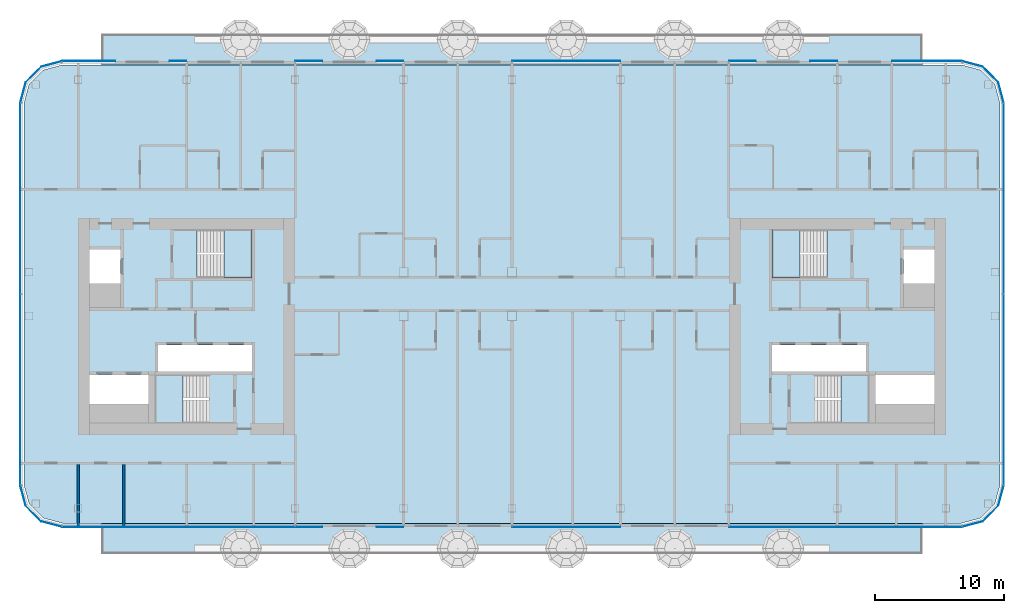
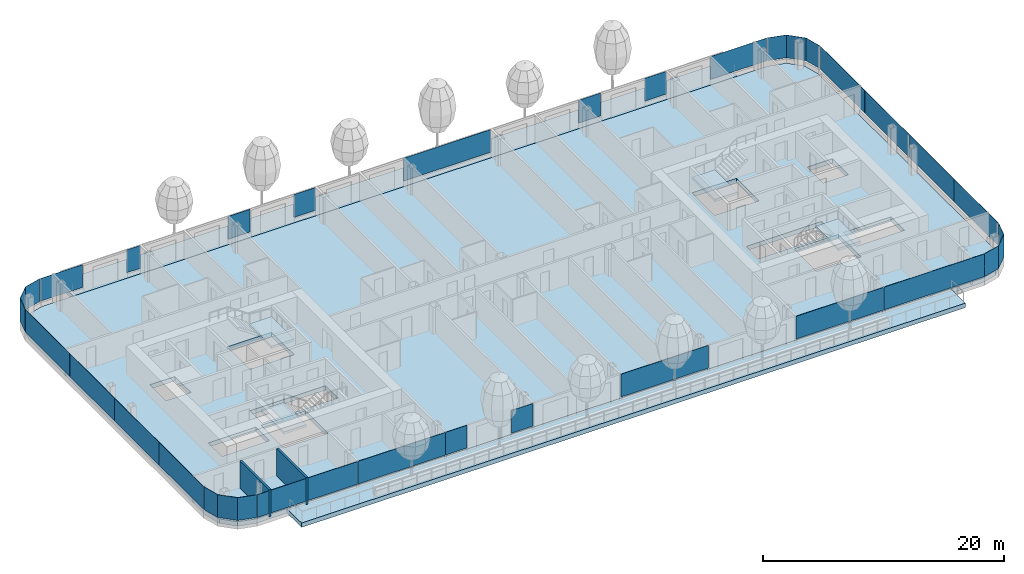
# One storey, part 9 of 28: 27 plates, 7 slabs, 2 walls, 12 elements without a shape of their own.
"""IFC4 building model written with IfcOpenShell, lengths in metres."""

from ifc_helpers import new_model, si_unit, direction, frame, frame_2d, origin, origin_2d, place, context, subcontext, project, spatial, polyline, rectangle, outline, extrude, material, layer, layer_set, type_object, element, aggregate, save


model = new_model("IFC4")

# Units and contexts
model_context = context("Model", 3, precision=1e-05, world=origin(), true_north=direction((0.0, 1.0)))
body_context = subcontext(model_context, "Body", "Model", "MODEL_VIEW")
ifc_project = project(units=[si_unit("LENGTHUNIT", "METRE"), si_unit("AREAUNIT", "SQUARE_METRE"), si_unit("VOLUMEUNIT", "CUBIC_METRE"), si_unit("PLANEANGLEUNIT", "RADIAN"), si_unit("MASSUNIT", "GRAM", prefix="KILO")], contexts=[model_context])

# Site, building, storey
site_placement = place(None, origin())
site = spatial("IfcSite", under=ifc_project, at=site_placement, CompositionType="ELEMENT")
building_placement = place(site_placement, origin())
building = spatial("IfcBuilding", under=site, at=building_placement, Name="Hakoniwa Tower and Hamabe Station Hall", CompositionType="ELEMENT")
storey_placement = place(building_placement, frame((0.0, 0.0, 193.0)))
storey = spatial("IfcBuildingStorey", under=building, at=storey_placement, Name="L54", CompositionType="ELEMENT", Elevation=193.0)

# Slabs
ifc_material_1 = material(Name="Concrete C42", Category="concrete")
ifc_layer_1 = layer(ifc_material_1, 0.25)
ifc_layer_set_1 = layer_set([ifc_layer_1], Name="BALCONY SLAB 250")
slab_type_1 = type_object("IfcSlabType", Name="BALCONY SLAB 250", PredefinedType="FLOOR", material=ifc_layer_set_1)
slab_1_placement = place(storey_placement, frame((0.0, 0.0, -0.449951171875)))
element("IfcSlab", 1, at=slab_1_placement, inside=storey, type_object=slab_type_1, Name="Balcony slab L54 BAL-L54-N", PredefinedType="FLOOR", context=body_context, shape_type="SweptSolid", body=[
    extrude(outline(polyline([(-31.800048828125, 20.25), (31.800048828125, 20.25), (31.800048828125, 22.64990234375), (-31.800048828125, 22.64990234375), (-31.800048828125, 20.25)])), origin(), (0.0, 0.0, 1.0), 0.449951171875),
])
slab_2_placement = place(storey_placement, frame((0.0, 0.0, -0.449951171875)))
element("IfcSlab", 2, at=slab_2_placement, inside=storey, type_object=slab_type_1, Name="Balcony slab L54 BAL-L54-S", PredefinedType="FLOOR", context=body_context, shape_type="SweptSolid", body=[
    extrude(outline(polyline([(-31.800048828125, -17.64990234375), (31.800048828125, -17.64990234375), (31.800048828125, -15.25), (-31.800048828125, -15.25), (-31.800048828125, -17.64990234375)])), origin(), (0.0, 0.0, 1.0), 0.449951171875),
])

# Stair, slab
ifc_material_2 = material(Name="Concrete C40", Category="concrete")
stair_type = type_object("IfcStairType", Name="ESCAPE STAIR 1800", PredefinedType="HALF_TURN_STAIR", material=ifc_material_2)
stair_1_placement = place(storey_placement, origin())
stair_1 = element("IfcStair", 3, at=stair_1_placement, inside=storey, type_object=stair_type, Name="Escape stair ST-1 L54", PredefinedType="HALF_TURN_STAIR")
ifc_material_3 = material(Name="Concrete C40", Category="concrete")
ifc_layer_2 = layer(ifc_material_3, 0.25)
ifc_layer_set_2 = layer_set([ifc_layer_2], Name="CORE STAIR LANDING 250")
slab_type_2 = type_object("IfcSlabType", Name="CORE STAIR LANDING 250", PredefinedType="LANDING", material=ifc_layer_set_2)
slab_3_placement = place(storey_placement, frame((0.0, 0.0, 1.35009765625)))
slab_3 = element("IfcSlab", 4, at=slab_3_placement, type_object=slab_type_2, Name="ST-1 landing 1", PredefinedType="LANDING", context=body_context, shape_type="SweptSolid", body=[
    extrude(outline(polyline([(-22.320068359375, 3.75), (-20.14990234375, 3.75), (-20.14990234375, 7.5), (-22.320068359375, 7.5), (-22.320068359375, 3.75)])), origin(), (0.0, 0.0, 1.0), 0.25),
])
aggregate(stair_1, [slab_3])

stair_2_placement = place(storey_placement, origin())
stair_2 = element("IfcStair", 5, at=stair_2_placement, inside=storey, type_object=stair_type, Name="Escape stair ST-2 L54", PredefinedType="HALF_TURN_STAIR")
slab_4_placement = place(storey_placement, frame((0.0, 0.0, 1.35009765625)))
slab_4 = element("IfcSlab", 6, at=slab_4_placement, type_object=slab_type_2, Name="ST-2 landing 1", PredefinedType="LANDING", context=body_context, shape_type="SweptSolid", body=[
    extrude(outline(polyline([(-25.47998046875, -7.5), (-27.64990234375, -7.5), (-27.64990234375, -3.75), (-25.47998046875, -3.75), (-25.47998046875, -7.5)])), origin(), (0.0, 0.0, 1.0), 0.25),
])
aggregate(stair_2, [slab_4])

stair_3_placement = place(storey_placement, origin())
stair_3 = element("IfcStair", 7, at=stair_3_placement, inside=storey, type_object=stair_type, Name="Escape stair ST-3 L54", PredefinedType="HALF_TURN_STAIR")
slab_5_placement = place(storey_placement, frame((0.0, 0.0, 1.35009765625)))
slab_5 = element("IfcSlab", 8, at=slab_5_placement, type_object=slab_type_2, Name="ST-3 landing 1", PredefinedType="LANDING", context=body_context, shape_type="SweptSolid", body=[
    extrude(outline(polyline([(22.320068359375, 3.75), (20.14990234375, 3.75), (20.14990234375, 7.5), (22.320068359375, 7.5), (22.320068359375, 3.75)])), origin(), (0.0, 0.0, 1.0), 0.25),
])
aggregate(stair_3, [slab_5])

stair_4_placement = place(storey_placement, origin())
stair_4 = element("IfcStair", 9, at=stair_4_placement, inside=storey, type_object=stair_type, Name="Escape stair ST-4 L54", PredefinedType="HALF_TURN_STAIR")
slab_6_placement = place(storey_placement, frame((0.0, 0.0, 1.35009765625)))
slab_6 = element("IfcSlab", 10, at=slab_6_placement, type_object=slab_type_2, Name="ST-4 landing 1", PredefinedType="LANDING", context=body_context, shape_type="SweptSolid", body=[
    extrude(outline(polyline([(25.47998046875, -7.5), (27.64990234375, -7.5), (27.64990234375, -3.75), (25.47998046875, -3.75), (25.47998046875, -7.5)])), origin(), (0.0, 0.0, 1.0), 0.25),
])
aggregate(stair_4, [slab_6])

# Curtain wall, plates
ifc_material_4 = material(Name="Dark low-e laminated glass", Category="glass")
ifc_layer_3 = layer(ifc_material_4, 0.199951171875)
ifc_layer_set_3 = layer_set([ifc_layer_3], Name="CW-1 UNITISED GUEST")
curtain_wall_type = type_object("IfcCurtainWallType", Name="CW-1 UNITISED GUEST", PredefinedType="NOTDEFINED", material=ifc_layer_set_3)
curtain_wall_1_placement = place(storey_placement, origin())
curtain_wall_1 = element("IfcCurtainWall", 11, at=curtain_wall_1_placement, inside=storey, type_object=curtain_wall_type, Name="CW-1 curtain wall", PredefinedType="NOTDEFINED")
ifc_material_5 = material(Name="Dark low-e laminated glass", Category="glass")
ifc_layer_4 = layer(ifc_material_5, 0.028076171875)
ifc_layer_set_4 = layer_set([ifc_layer_4], Name="CW-1 GLASS UNIT")
plate_type = type_object("IfcPlateType", Name="CW-1 GLASS UNIT", PredefinedType="CURTAIN_PANEL", material=ifc_layer_set_4)
plate_1_placement = place(storey_placement, frame((38.0859375, -8.592041015625, 0.35009765625), z_axis=(0.0, 0.0, 1.0), x_axis=(0.0, 1.0, 0.0)))
plate_1 = element("IfcPlate", 12, at=plate_1_placement, type_object=plate_type, Name="CW-1 glass unit", PredefinedType="CURTAIN_PANEL", context=body_context, shape_type="SweptSolid", body=[
    extrude(rectangle(XDim=7.374755859375, YDim=0.028076171875, at=origin_2d()), origin(), (0.0, 0.0, 1.0), 2.300048828125),
])
plate_2_placement = place(storey_placement, frame((38.0859375, -1.197265625, 0.35009765625), z_axis=(0.0, 0.0, 1.0), x_axis=(0.0, 1.0, 0.0)))
plate_2 = element("IfcPlate", 13, at=plate_2_placement, type_object=plate_type, Name="CW-1 glass unit", PredefinedType="CURTAIN_PANEL", context=body_context, shape_type="SweptSolid", body=[
    extrude(rectangle(XDim=7.374755859375, YDim=0.028076171875, at=origin_2d()), origin(), (0.0, 0.0, 1.0), 2.300048828125),
])
plate_3_placement = place(storey_placement, frame((38.0859375, 6.197265625, 0.35009765625), z_axis=(0.0, 0.0, 1.0), x_axis=(0.0, 1.0, 0.0)))
plate_3 = element("IfcPlate", 14, at=plate_3_placement, type_object=plate_type, Name="CW-1 glass unit", PredefinedType="CURTAIN_PANEL", context=body_context, shape_type="SweptSolid", body=[
    extrude(rectangle(XDim=7.374755859375, YDim=0.028076171875, at=origin_2d()), origin(), (0.0, 0.0, 1.0), 2.300048828125),
])
plate_4_placement = place(storey_placement, frame((38.0859375, 13.592041015625, 0.35009765625), z_axis=(0.0, 0.0, 1.0), x_axis=(0.0, 1.0, 0.0)))
plate_4 = element("IfcPlate", 15, at=plate_4_placement, type_object=plate_type, Name="CW-1 glass unit", PredefinedType="CURTAIN_PANEL", context=body_context, shape_type="SweptSolid", body=[
    extrude(rectangle(XDim=7.374755859375, YDim=0.028076171875, at=origin_2d()), origin(), (0.0, 0.0, 1.0), 2.300048828125),
])
aggregate(curtain_wall_1, [plate_1, plate_2, plate_3, plate_4])

# Curtain wall, plate
curtain_wall_2_placement = place(storey_placement, origin())
curtain_wall_2 = element("IfcCurtainWall", 16, at=curtain_wall_2_placement, inside=storey, type_object=curtain_wall_type, Name="CW-1 curtain wall", PredefinedType="NOTDEFINED")
plate_5_placement = place(storey_placement, frame((0.0, 0.0, 0.35009765625)))
plate_5 = element("IfcPlate", 17, at=plate_5_placement, type_object=plate_type, Name="CW-1 curved corner unit", PredefinedType="CURTAIN_PANEL", context=body_context, shape_type="SweptSolid", body=[
    extrude(outline(polyline([(38.089599609375, 17.328125), (37.6669921875, 18.9052734375), (36.455322265625, 20.116943359375), (34.878173828125, 20.53955078125), (34.870849609375, 20.5126953125), (36.44091796875, 20.092041015625), (37.641845703125, 18.890869140625), (38.0625, 17.32080078125), (38.089599609375, 17.328125)])), origin(), (0.0, 0.0, 1.0), 2.2998046875),
])
aggregate(curtain_wall_2, [plate_5])

# Curtain wall, plates
curtain_wall_3_placement = place(storey_placement, origin())
curtain_wall_3 = element("IfcCurtainWall", 18, at=curtain_wall_3_placement, inside=storey, type_object=curtain_wall_type, Name="CW-1 curtain wall", PredefinedType="NOTDEFINED")
plate_6_placement = place(storey_placement, frame((32.134765625, 20.535888671875, 0.35009765625), z_axis=(0.0, 0.0, 1.0), x_axis=(-1.0, 0.0, 0.0)))
plate_6 = element("IfcPlate", 19, at=plate_6_placement, type_object=plate_type, Name="CW-1 glass unit", PredefinedType="CURTAIN_PANEL", context=body_context, shape_type="SweptSolid", body=[
    extrude(rectangle(XDim=5.389404296875, YDim=0.028076171875, at=origin_2d()), origin(), (0.0, 0.0, 1.0), 2.300048828125),
])
plate_7_placement = place(storey_placement, frame((24.14990234375, 20.535888671875, 0.35009765625), z_axis=(0.0, 0.0, 1.0), x_axis=(-1.0, 0.0, 0.0)))
plate_7 = element("IfcPlate", 20, at=plate_7_placement, type_object=plate_type, Name="CW-1 glass unit", PredefinedType="CURTAIN_PANEL", context=body_context, shape_type="SweptSolid", body=[
    extrude(rectangle(XDim=2.080078125, YDim=0.028076171875, at=origin_2d()), origin(), (0.0, 0.0, 1.0), 2.300048828125),
])
plate_8_placement = place(storey_placement, frame((17.85009765625, 20.535888671875, 0.35009765625), z_axis=(0.0, 0.0, 1.0), x_axis=(-1.0, 0.0, 0.0)))
plate_8 = element("IfcPlate", 21, at=plate_8_placement, type_object=plate_type, Name="CW-1 glass unit", PredefinedType="CURTAIN_PANEL", context=body_context, shape_type="SweptSolid", body=[
    extrude(rectangle(XDim=2.080078125, YDim=0.028076171875, at=origin_2d()), origin(), (0.0, 0.0, 1.0), 2.300048828125),
])
plate_9_placement = place(storey_placement, frame((4.199951171875, 20.535888671875, 0.35009765625), z_axis=(0.0, 0.0, 1.0), x_axis=(-1.0, 0.0, 0.0)))
plate_9 = element("IfcPlate", 22, at=plate_9_placement, type_object=plate_type, Name="CW-1 glass unit", PredefinedType="CURTAIN_PANEL", context=body_context, shape_type="SweptSolid", body=[
    extrude(rectangle(XDim=8.3798828125, YDim=0.028076171875, at=origin_2d()), origin(), (0.0, 0.0, 1.0), 2.300048828125),
])
plate_10_placement = place(storey_placement, frame((-9.449951171875, 20.535888671875, 0.35009765625), z_axis=(0.0, 0.0, 1.0), x_axis=(-1.0, 0.0, 0.0)))
plate_10 = element("IfcPlate", 23, at=plate_10_placement, type_object=plate_type, Name="CW-1 glass unit", PredefinedType="CURTAIN_PANEL", context=body_context, shape_type="SweptSolid", body=[
    extrude(rectangle(XDim=2.080078125, YDim=0.028076171875, at=origin_2d()), origin(), (0.0, 0.0, 1.0), 2.300048828125),
])
plate_11_placement = place(storey_placement, frame((-15.75, 20.535888671875, 0.35009765625), z_axis=(0.0, 0.0, 1.0), x_axis=(-1.0, 0.0, 0.0)))
plate_11 = element("IfcPlate", 24, at=plate_11_placement, type_object=plate_type, Name="CW-1 glass unit", PredefinedType="CURTAIN_PANEL", context=body_context, shape_type="SweptSolid", body=[
    extrude(rectangle(XDim=2.080078125, YDim=0.028076171875, at=origin_2d()), origin(), (0.0, 0.0, 1.0), 2.300048828125),
])
plate_12_placement = place(storey_placement, frame((-25.862548828125, 20.535888671875, 0.35009765625), z_axis=(0.0, 0.0, 1.0), x_axis=(-1.0, 0.0, 0.0)))
plate_12 = element("IfcPlate", 25, at=plate_12_placement, type_object=plate_type, Name="CW-1 glass unit", PredefinedType="CURTAIN_PANEL", context=body_context, shape_type="SweptSolid", body=[
    extrude(rectangle(XDim=1.304931640625, YDim=0.028076171875, at=origin_2d()), origin(), (0.0, 0.0, 1.0), 2.300048828125),
])
plate_13_placement = place(storey_placement, frame((-32.7822265625, 20.535888671875, 0.35009765625), z_axis=(0.0, 0.0, 1.0), x_axis=(-1.0, 0.0, 0.0)))
plate_13 = element("IfcPlate", 26, at=plate_13_placement, type_object=plate_type, Name="CW-1 glass unit", PredefinedType="CURTAIN_PANEL", context=body_context, shape_type="SweptSolid", body=[
    extrude(rectangle(XDim=4.094482421875, YDim=0.028076171875, at=origin_2d()), origin(), (0.0, 0.0, 1.0), 2.300048828125),
])
aggregate(curtain_wall_3, [plate_6, plate_7, plate_8, plate_9, plate_10, plate_11, plate_12, plate_13])

# Curtain wall, plate
curtain_wall_4_placement = place(storey_placement, origin())
curtain_wall_4 = element("IfcCurtainWall", 27, at=curtain_wall_4_placement, inside=storey, type_object=curtain_wall_type, Name="CW-1 curtain wall", PredefinedType="NOTDEFINED")
plate_14_placement = place(storey_placement, frame((0.0, 0.0, 0.35009765625)))
plate_14 = element("IfcPlate", 28, at=plate_14_placement, type_object=plate_type, Name="CW-1 curved corner unit", PredefinedType="CURTAIN_PANEL", context=body_context, shape_type="SweptSolid", body=[
    extrude(outline(polyline([(-34.878173828125, 20.53955078125), (-36.455322265625, 20.116943359375), (-37.6669921875, 18.9052734375), (-38.089599609375, 17.328125), (-38.0625, 17.32080078125), (-37.641845703125, 18.890869140625), (-36.44091796875, 20.092041015625), (-34.870849609375, 20.5126953125), (-34.878173828125, 20.53955078125)])), origin(), (0.0, 0.0, 1.0), 2.2998046875),
])
aggregate(curtain_wall_4, [plate_14])

# Curtain wall, plates
curtain_wall_5_placement = place(storey_placement, origin())
curtain_wall_5 = element("IfcCurtainWall", 29, at=curtain_wall_5_placement, inside=storey, type_object=curtain_wall_type, Name="CW-1 curtain wall", PredefinedType="NOTDEFINED")
plate_15_placement = place(storey_placement, frame((-38.0859375, 13.592041015625, 0.35009765625), z_axis=(0.0, 0.0, 1.0), x_axis=(0.0, -1.0, 0.0)))
plate_15 = element("IfcPlate", 30, at=plate_15_placement, type_object=plate_type, Name="CW-1 glass unit", PredefinedType="CURTAIN_PANEL", context=body_context, shape_type="SweptSolid", body=[
    extrude(rectangle(XDim=7.374755859375, YDim=0.028076171875, at=origin_2d()), origin(), (0.0, 0.0, 1.0), 2.300048828125),
])
plate_16_placement = place(storey_placement, frame((-38.0859375, 6.197265625, 0.35009765625), z_axis=(0.0, 0.0, 1.0), x_axis=(0.0, -1.0, 0.0)))
plate_16 = element("IfcPlate", 31, at=plate_16_placement, type_object=plate_type, Name="CW-1 glass unit", PredefinedType="CURTAIN_PANEL", context=body_context, shape_type="SweptSolid", body=[
    extrude(rectangle(XDim=7.374755859375, YDim=0.028076171875, at=origin_2d()), origin(), (0.0, 0.0, 1.0), 2.300048828125),
])
plate_17_placement = place(storey_placement, frame((-38.0859375, -1.197265625, 0.35009765625), z_axis=(0.0, 0.0, 1.0), x_axis=(0.0, -1.0, 0.0)))
plate_17 = element("IfcPlate", 32, at=plate_17_placement, type_object=plate_type, Name="CW-1 glass unit", PredefinedType="CURTAIN_PANEL", context=body_context, shape_type="SweptSolid", body=[
    extrude(rectangle(XDim=7.374755859375, YDim=0.028076171875, at=origin_2d()), origin(), (0.0, 0.0, 1.0), 2.300048828125),
])
plate_18_placement = place(storey_placement, frame((-38.0859375, -8.592041015625, 0.35009765625), z_axis=(0.0, 0.0, 1.0), x_axis=(0.0, -1.0, 0.0)))
plate_18 = element("IfcPlate", 33, at=plate_18_placement, type_object=plate_type, Name="CW-1 glass unit", PredefinedType="CURTAIN_PANEL", context=body_context, shape_type="SweptSolid", body=[
    extrude(rectangle(XDim=7.374755859375, YDim=0.028076171875, at=origin_2d()), origin(), (0.0, 0.0, 1.0), 2.300048828125),
])
aggregate(curtain_wall_5, [plate_15, plate_16, plate_17, plate_18])

# Curtain wall, plate
curtain_wall_6_placement = place(storey_placement, origin())
curtain_wall_6 = element("IfcCurtainWall", 34, at=curtain_wall_6_placement, inside=storey, type_object=curtain_wall_type, Name="CW-1 curtain wall", PredefinedType="NOTDEFINED")
plate_19_placement = place(storey_placement, frame((0.0, 0.0, 0.35009765625)))
plate_19 = element("IfcPlate", 35, at=plate_19_placement, type_object=plate_type, Name="CW-1 curved corner unit", PredefinedType="CURTAIN_PANEL", context=body_context, shape_type="SweptSolid", body=[
    extrude(outline(polyline([(-38.089599609375, -12.328125), (-37.6669921875, -13.9052734375), (-36.455322265625, -15.116943359375), (-34.878173828125, -15.53955078125), (-34.870849609375, -15.5126953125), (-36.44091796875, -15.092041015625), (-37.641845703125, -13.890869140625), (-38.0625, -12.32080078125), (-38.089599609375, -12.328125)])), origin(), (0.0, 0.0, 1.0), 2.2998046875),
])
aggregate(curtain_wall_6, [plate_19])

# Curtain wall, plates
curtain_wall_7_placement = place(storey_placement, origin())
curtain_wall_7 = element("IfcCurtainWall", 36, at=curtain_wall_7_placement, inside=storey, type_object=curtain_wall_type, Name="CW-1 curtain wall", PredefinedType="NOTDEFINED")
plate_20_placement = place(storey_placement, frame((-30.019775390625, -15.535888671875, 0.35009765625), z_axis=(0.0, 0.0, 1.0), x_axis=(1.0, 0.0, 0.0)))
plate_20 = element("IfcPlate", 37, at=plate_20_placement, type_object=plate_type, Name="CW-1 glass unit", PredefinedType="CURTAIN_PANEL", context=body_context, shape_type="SweptSolid", body=[
    extrude(rectangle(XDim=9.619384765625, YDim=0.028076171875, at=origin_2d()), origin(), (0.0, 0.0, 1.0), 2.300048828125),
])
plate_21_placement = place(storey_placement, frame((-21.0, -15.535888671875, 0.35009765625), z_axis=(0.0, 0.0, 1.0), x_axis=(1.0, 0.0, 0.0)))
plate_21 = element("IfcPlate", 38, at=plate_21_placement, type_object=plate_type, Name="CW-1 glass unit", PredefinedType="CURTAIN_PANEL", context=body_context, shape_type="SweptSolid", body=[
    extrude(rectangle(XDim=8.3798828125, YDim=0.028076171875, at=origin_2d()), origin(), (0.0, 0.0, 1.0), 2.300048828125),
])
plate_22_placement = place(storey_placement, frame((-15.75, -15.535888671875, 0.35009765625), z_axis=(0.0, 0.0, 1.0), x_axis=(1.0, 0.0, 0.0)))
plate_22 = element("IfcPlate", 39, at=plate_22_placement, type_object=plate_type, Name="CW-1 glass unit", PredefinedType="CURTAIN_PANEL", context=body_context, shape_type="SweptSolid", body=[
    extrude(rectangle(XDim=2.080078125, YDim=0.028076171875, at=origin_2d()), origin(), (0.0, 0.0, 1.0), 2.300048828125),
])
plate_23_placement = place(storey_placement, frame((-9.449951171875, -15.535888671875, 0.35009765625), z_axis=(0.0, 0.0, 1.0), x_axis=(1.0, 0.0, 0.0)))
plate_23 = element("IfcPlate", 40, at=plate_23_placement, type_object=plate_type, Name="CW-1 glass unit", PredefinedType="CURTAIN_PANEL", context=body_context, shape_type="SweptSolid", body=[
    extrude(rectangle(XDim=2.080078125, YDim=0.028076171875, at=origin_2d()), origin(), (0.0, 0.0, 1.0), 2.300048828125),
])
plate_24_placement = place(storey_placement, frame((4.199951171875, -15.535888671875, 0.35009765625), z_axis=(0.0, 0.0, 1.0), x_axis=(1.0, 0.0, 0.0)))
plate_24 = element("IfcPlate", 41, at=plate_24_placement, type_object=plate_type, Name="CW-1 glass unit", PredefinedType="CURTAIN_PANEL", context=body_context, shape_type="SweptSolid", body=[
    extrude(rectangle(XDim=8.3798828125, YDim=0.028076171875, at=origin_2d()), origin(), (0.0, 0.0, 1.0), 2.300048828125),
])
plate_25_placement = place(storey_placement, frame((21.0, -15.535888671875, 0.35009765625), z_axis=(0.0, 0.0, 1.0), x_axis=(1.0, 0.0, 0.0)))
plate_25 = element("IfcPlate", 42, at=plate_25_placement, type_object=plate_type, Name="CW-1 glass unit", PredefinedType="CURTAIN_PANEL", context=body_context, shape_type="SweptSolid", body=[
    extrude(rectangle(XDim=8.3798828125, YDim=0.028076171875, at=origin_2d()), origin(), (0.0, 0.0, 1.0), 2.300048828125),
])
plate_26_placement = place(storey_placement, frame((30.019775390625, -15.535888671875, 0.35009765625), z_axis=(0.0, 0.0, 1.0), x_axis=(1.0, 0.0, 0.0)))
plate_26 = element("IfcPlate", 43, at=plate_26_placement, type_object=plate_type, Name="CW-1 glass unit", PredefinedType="CURTAIN_PANEL", context=body_context, shape_type="SweptSolid", body=[
    extrude(rectangle(XDim=9.619384765625, YDim=0.028076171875, at=origin_2d()), origin(), (0.0, 0.0, 1.0), 2.300048828125),
])
aggregate(curtain_wall_7, [plate_20, plate_21, plate_22, plate_23, plate_24, plate_25, plate_26])

# Curtain wall, plate
curtain_wall_8_placement = place(storey_placement, origin())
curtain_wall_8 = element("IfcCurtainWall", 44, at=curtain_wall_8_placement, inside=storey, type_object=curtain_wall_type, Name="CW-1 curtain wall", PredefinedType="NOTDEFINED")
plate_27_placement = place(storey_placement, frame((0.0, 0.0, 0.35009765625)))
plate_27 = element("IfcPlate", 45, at=plate_27_placement, type_object=plate_type, Name="CW-1 curved corner unit", PredefinedType="CURTAIN_PANEL", context=body_context, shape_type="SweptSolid", body=[
    extrude(outline(polyline([(34.878173828125, -15.53955078125), (36.455322265625, -15.116943359375), (37.6669921875, -13.9052734375), (38.089599609375, -12.328125), (38.0625, -12.32080078125), (37.641845703125, -13.890869140625), (36.44091796875, -15.092041015625), (34.870849609375, -15.5126953125), (34.878173828125, -15.53955078125)])), origin(), (0.0, 0.0, 1.0), 2.2998046875),
])
aggregate(curtain_wall_8, [plate_27])

# Slab
ifc_material_6 = material(Name="Concrete C42", Category="concrete")
ifc_layer_5 = layer(ifc_material_6, 0.449951171875)
ifc_layer_set_5 = layer_set([ifc_layer_5], Name="PT FLAT PLATE 450")
slab_type_3 = type_object("IfcSlabType", Name="PT FLAT PLATE 450", PredefinedType="FLOOR", material=ifc_layer_set_5)
slab_7_placement = place(storey_placement, frame((0.0, 0.0, -0.449951171875)))
element("IfcSlab", 46, at=slab_7_placement, inside=storey, type_object=slab_type_3, Name="Floor slab L54", PredefinedType="FLOOR", context=body_context, shape_type="SweptSolid", body=[
    extrude(outline(polyline([(37.800048828125, -12.25), (37.800048828125, 17.25), (37.398193359375, 18.75), (36.300048828125, 19.84814453125), (34.800048828125, 20.25), (-34.800048828125, 20.25), (-36.300048828125, 19.84814453125), (-37.398193359375, 18.75), (-37.800048828125, 17.25), (-37.800048828125, -12.25), (-37.398193359375, -13.75), (-36.300048828125, -14.84814453125), (-34.800048828125, -15.25), (34.800048828125, -15.25), (36.300048828125, -14.84814453125), (37.398193359375, -13.75), (37.800048828125, -12.25)]), holes=[polyline([(-27.39990234375, -3.5), (-27.39990234375, -1.449951171875), (-20.14990234375, -1.449951171875), (-20.14990234375, -3.5), (-27.39990234375, -3.5)]), polyline([(-32.699951171875, 3.300048828125), (-32.699951171875, 5.949951171875), (-30.300048828125, 5.949951171875), (-30.300048828125, 3.300048828125), (-32.699951171875, 3.300048828125)]), polyline([(-32.699951171875, -6.0), (-32.699951171875, -3.75), (-28.14990234375, -3.75), (-28.14990234375, -6.0), (-32.699951171875, -6.0)]), polyline([(-24.389892578125, 3.75), (-24.389892578125, 7.5), (-20.14990234375, 7.5), (-20.14990234375, 3.75), (-24.389892578125, 3.75)]), polyline([(-27.64990234375, -7.5), (-27.64990234375, -3.75), (-23.409912109375, -3.75), (-23.409912109375, -7.5), (-27.64990234375, -7.5)]), polyline([(20.14990234375, -3.5), (20.14990234375, -1.449951171875), (27.39990234375, -1.449951171875), (27.39990234375, -3.5), (20.14990234375, -3.5)]), polyline([(30.300048828125, 3.300048828125), (30.300048828125, 5.949951171875), (32.699951171875, 5.949951171875), (32.699951171875, 3.300048828125), (30.300048828125, 3.300048828125)]), polyline([(28.14990234375, -6.0), (28.14990234375, -3.75), (32.699951171875, -3.75), (32.699951171875, -6.0), (28.14990234375, -6.0)]), polyline([(20.14990234375, 3.75), (20.14990234375, 7.5), (24.389892578125, 7.5), (24.389892578125, 3.75), (20.14990234375, 3.75)]), polyline([(23.409912109375, -7.5), (23.409912109375, -3.75), (27.64990234375, -3.75), (27.64990234375, -7.5), (23.409912109375, -7.5)])]), origin(), (0.0, 0.0, 1.0), 0.449951171875),
])

# Walls
ifc_material_7 = material(Name="Fire-rated gypsum board partition", Category="gypsum")
ifc_layer_6 = layer(ifc_material_7, 0.199951171875)
ifc_layer_set_6 = layer_set([ifc_layer_6], Name="Party Wall 200")
wall_type = type_object("IfcWallType", Name="Party Wall 200", PredefinedType="PARTITIONING", material=ifc_layer_set_6)
for number, where, z_axis, x_axis, name in (
    (47, (-33.60009765625, -15.550048828125, 0.0), (0.0, 0.0, 1.0), (0.0, 1.0, 0.0), "GW-L54-023"),
    (48, (-30.070068359375, -15.550048828125, 0.0), (0.0, 0.0, 1.0), (0.0, 1.0, 0.0), "GW-L54-025"),
):
    element("IfcWall", number, at=place(storey_placement, frame(where, z_axis=z_axis, x_axis=x_axis)), inside=storey, type_object=wall_type, Name=name, PredefinedType="PARTITIONING", context=body_context, shape_type="SweptSolid", body=[
        extrude(rectangle(XDim=4.85009765625, YDim=0.199951171875, at=frame_2d((2.425048828125, 0.0))), origin(), (0.0, 0.0, 1.0), 2.75),
    ])

save(model, "model.ifc")
